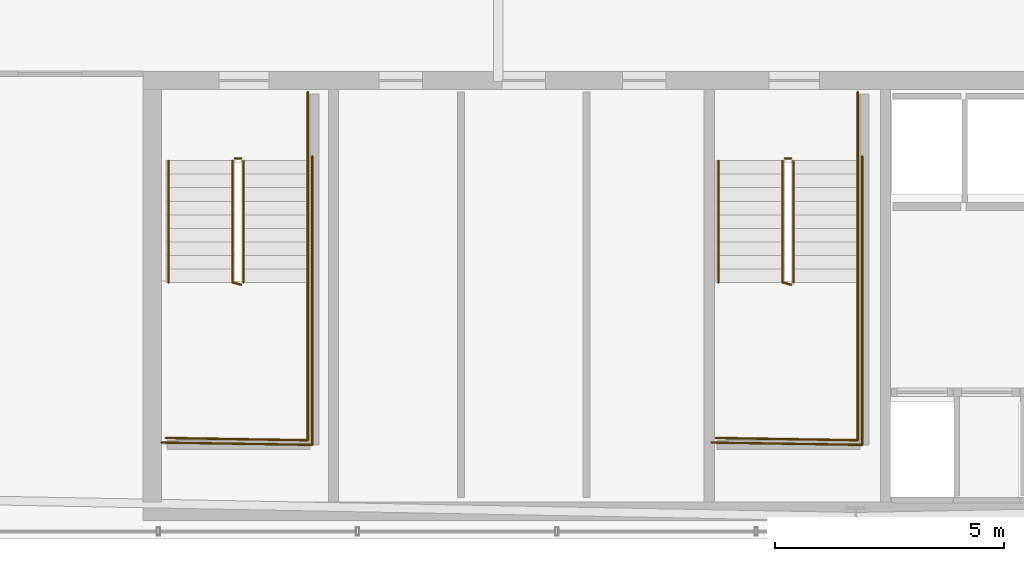
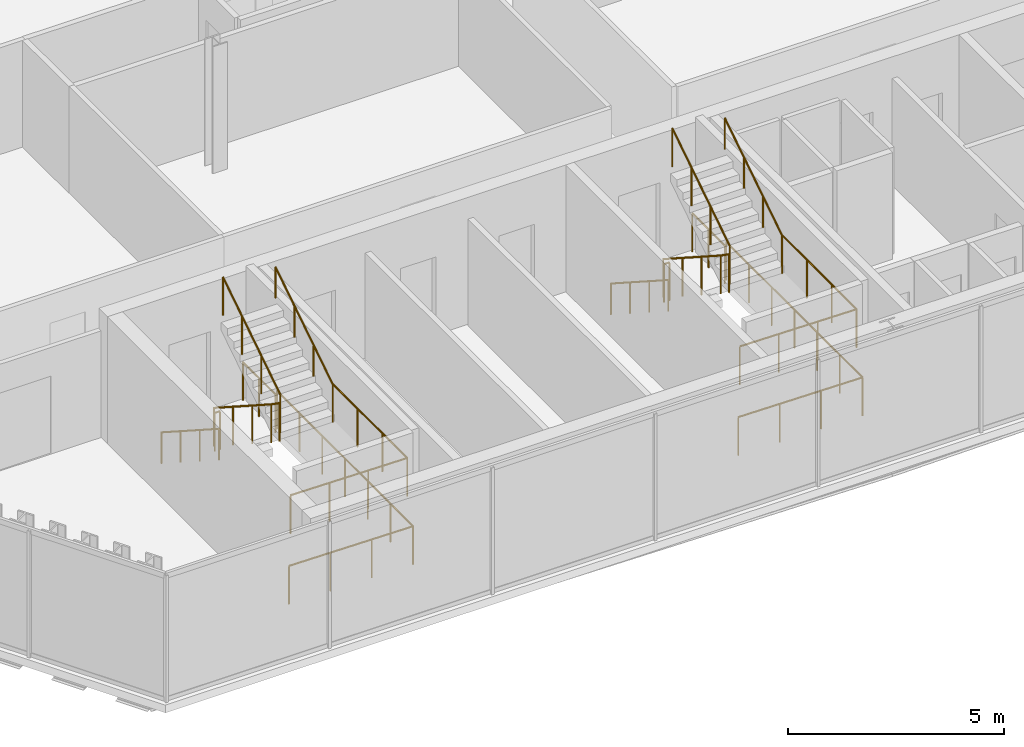
# One storey, part 27 of 29: 16 railings.
"""IFC4 building model written with IfcOpenShell, lengths in metres."""

from ifc_helpers import new_model, si_unit, direction, frame, origin, origin_2d, place, context, subcontext, project, spatial, circle, extrude, material, layer, layer_set, type_object, element, save


model = new_model("IFC4")

# Units and contexts
model_context = context("Model", 3, precision=1e-05, world=origin(), true_north=direction((0.0, 1.0)))
body_context = subcontext(model_context, "Body", "Model", "MODEL_VIEW")
ifc_project = project(units=[si_unit("LENGTHUNIT", "METRE"), si_unit("AREAUNIT", "SQUARE_METRE"), si_unit("VOLUMEUNIT", "CUBIC_METRE"), si_unit("PLANEANGLEUNIT", "RADIAN"), si_unit("MASSUNIT", "GRAM", prefix="KILO")], contexts=[model_context])

# Site, building, storey
site_placement = place(None, origin())
site = spatial("IfcSite", under=ifc_project, at=site_placement, CompositionType="ELEMENT")
building_placement = place(site_placement, origin())
building = spatial("IfcBuilding", under=site, at=building_placement, Name="Ndaravel Arena Tower", CompositionType="ELEMENT")
storey_placement = place(building_placement, frame((0.0, 0.0, 233.199951171875)))
storey = spatial("IfcBuildingStorey", under=building, at=storey_placement, Name="L56", CompositionType="ELEMENT", Elevation=233.199951171875)

# Railings
ifc_material_1 = material(Name="Steel S355", Category="steel")
ifc_layer_1 = layer(ifc_material_1, 0.06005859375)
ifc_layer_set_1 = layer_set([ifc_layer_1], Name="Steel S355")
railing_type_1 = type_object("IfcRailingType", Name="RAIL-STAIR-GD1100", PredefinedType="GUARDRAIL", material=ifc_layer_set_1)
railing_1_placement = place(storey_placement, frame((28.39990234375, 13.25, 0.18994140625)))
element("IfcRailing", 1, at=railing_1_placement, inside=storey, type_object=railing_type_1, Name="L56 ST-1 stair guard 1", PredefinedType="GUARDRAIL", context=body_context, shape_type="SweptSolid", body=[
    extrude(circle(Radius=0.02392578125, at=origin_2d()), frame((0.0, 0.0, 1.076171875), z_axis=(0.0, -0.840688348013, 0.541519253134), x_axis=(1.0, 0.0, 0.0)), (0.0, 0.0, 1.0), 3.158203125),
    extrude(circle(Radius=0.02392578125, at=origin_2d()), frame((0.0, -2.655029296875, 2.7861328125), z_axis=(0.967074537263, -0.25449329928, 0.0), x_axis=(0.25449329928, 0.967074537263, 0.0)), (0.0, 0.0, 1.0), 0.19677734375),
    extrude(circle(Radius=0.02099609375, at=origin_2d()), origin(), (0.0, 0.0, 1.0), 1.052001953125),
    extrude(circle(Radius=0.02099609375, at=origin_2d()), frame((0.0, -0.885009765625, 0.570068359375)), (0.0, 0.0, 1.0), 1.052001953125),
    extrude(circle(Radius=0.02099609375, at=origin_2d()), frame((0.0, -1.77001953125, 1.14013671875)), (0.0, 0.0, 1.0), 1.052001953125),
    extrude(circle(Radius=0.02099609375, at=origin_2d()), frame((0.0, -2.655029296875, 1.710205078125)), (0.0, 0.0, 1.0), 1.052001953125),
    extrude(circle(Radius=0.02099609375, at=origin_2d()), frame((0.190185546875, -2.705078125, 1.710205078125)), (0.0, 0.0, 1.0), 1.052001953125),
])
railing_2_placement = place(storey_placement, frame((30.0400390625, 10.594970703125, 1.900146484375)))
element("IfcRailing", 2, at=railing_2_placement, inside=storey, type_object=railing_type_1, Name="L56 ST-1 stair guard 2", PredefinedType="GUARDRAIL", context=body_context, shape_type="SweptSolid", body=[
    extrude(circle(Radius=0.02392578125, at=origin_2d()), frame((0.0, 0.0, 1.076171875), z_axis=(0.0, -1.0, 0.0), x_axis=(1.0, 0.0, 0.0)), (0.0, 0.0, 1.0), 3.445068359375),
    extrude(circle(Radius=0.02392578125, at=origin_2d()), frame((0.0, -3.445068359375, 1.076171875), z_axis=(-0.999868861343, 0.016194447071, 0.0), x_axis=(-0.016194447071, -0.999868861343, 0.0)), (0.0, 0.0, 1.0), 3.090576171875),
    extrude(circle(Radius=0.02099609375, at=origin_2d()), origin(), (0.0, 0.0, 1.0), 1.052001953125),
    extrude(circle(Radius=0.02099609375, at=origin_2d()), frame((0.0, -1.1484375, 0.0)), (0.0, 0.0, 1.0), 1.052001953125),
    extrude(circle(Radius=0.02099609375, at=origin_2d()), frame((0.0, -2.296630859375, 0.0)), (0.0, 0.0, 1.0), 1.052001953125),
    extrude(circle(Radius=0.02099609375, at=origin_2d()), frame((0.0, -3.445068359375, 0.0)), (0.0, 0.0, 1.0), 1.052001953125),
    extrude(circle(Radius=0.02099609375, at=origin_2d()), frame((-1.030029296875, -3.428466796875, 0.0)), (0.0, 0.0, 1.0), 1.052001953125),
    extrude(circle(Radius=0.02099609375, at=origin_2d()), frame((-2.06005859375, -3.41162109375, 0.0)), (0.0, 0.0, 1.0), 1.052001953125),
    extrude(circle(Radius=0.02099609375, at=origin_2d()), frame((-3.090087890625, -3.39501953125, 0.0)), (0.0, 0.0, 1.0), 1.052001953125),
])
railing_3_placement = place(storey_placement, frame((28.639892578125, 10.594970703125, 2.090087890625)))
element("IfcRailing", 3, at=railing_3_placement, inside=storey, type_object=railing_type_1, Name="L56 ST-1 stair guard 3", PredefinedType="GUARDRAIL", context=body_context, shape_type="SweptSolid", body=[
    extrude(circle(Radius=0.02392578125, at=origin_2d()), frame((0.0, 0.0, 1.076171875), z_axis=(0.0, 0.840723540582, 0.54146461409), x_axis=(-1.0, 0.0, 0.0)), (0.0, 0.0, 1.0), 3.157958984375),
    extrude(circle(Radius=0.02099609375, at=origin_2d()), origin(), (0.0, 0.0, 1.0), 1.052001953125),
    extrude(circle(Radius=0.02099609375, at=origin_2d()), frame((0.0, 0.885009765625, 0.570068359375)), (0.0, 0.0, 1.0), 1.052001953125),
    extrude(circle(Radius=0.02099609375, at=origin_2d()), frame((0.0, 1.77001953125, 1.139892578125)), (0.0, 0.0, 1.0), 1.052001953125),
    extrude(circle(Radius=0.02099609375, at=origin_2d()), frame((0.0, 2.655029296875, 1.7099609375)), (0.0, 0.0, 1.0), 1.052001953125),
])
railing_4_placement = place(storey_placement, frame((28.449951171875, 13.300048828125, 0.0)))
element("IfcRailing", 4, at=railing_4_placement, inside=storey, type_object=railing_type_1, Name="L56 ST-1 stair guard 4", PredefinedType="GUARDRAIL", context=body_context, shape_type="SweptSolid", body=[
    extrude(circle(Radius=0.02392578125, at=origin_2d()), frame((0.0, 0.0, 1.076171875), z_axis=(1.0, 0.0, 0.0), x_axis=(0.0, 1.0, 0.0)), (0.0, 0.0, 1.0), 0.14013671875),
    extrude(circle(Radius=0.02099609375, at=origin_2d()), origin(), (0.0, 0.0, 1.0), 1.052001953125),
    extrude(circle(Radius=0.02099609375, at=origin_2d()), frame((0.14013671875, 0.0, 0.0)), (0.0, 0.0, 1.0), 1.052001953125),
])
railing_5_placement = place(storey_placement, frame((30.0400390625, 14.75, 0.0)))
element("IfcRailing", 5, at=railing_5_placement, inside=storey, type_object=railing_type_1, Name="L56 ST-1 stair guard 5", PredefinedType="GUARDRAIL", context=body_context, shape_type="SweptSolid", body=[
    extrude(circle(Radius=0.02392578125, at=origin_2d()), frame((0.0, 0.0, 1.076171875), z_axis=(0.0, -1.0, 0.0), x_axis=(1.0, 0.0, 0.0)), (0.0, 0.0, 1.0), 1.5),
    extrude(circle(Radius=0.02099609375, at=origin_2d()), origin(), (0.0, 0.0, 1.0), 1.052001953125),
    extrude(circle(Radius=0.02099609375, at=origin_2d()), frame((0.0, -0.75, 0.0)), (0.0, 0.0, 1.0), 1.052001953125),
    extrude(circle(Radius=0.02099609375, at=origin_2d()), frame((0.0, -1.5, 0.0)), (0.0, 0.0, 1.0), 1.052001953125),
])
railing_6_placement = place(storey_placement, frame((30.139892578125, 13.35009765625, 0.0)))
element("IfcRailing", 6, at=railing_6_placement, inside=storey, type_object=railing_type_1, Name="L56 ST-1 stair guard 6", PredefinedType="GUARDRAIL", context=body_context, shape_type="SweptSolid", body=[
    extrude(circle(Radius=0.02392578125, at=origin_2d()), frame((0.0, 0.0, 1.076171875), z_axis=(0.0, -1.0, 0.0), x_axis=(1.0, 0.0, 0.0)), (0.0, 0.0, 1.0), 6.300048828125),
    extrude(circle(Radius=0.02392578125, at=origin_2d()), frame((0.0, -6.300048828125, 1.076171875), z_axis=(-0.999884296952, 0.015211597839, 0.0), x_axis=(-0.015211597839, -0.999884296952, 0.0)), (0.0, 0.0, 1.0), 3.290283203125),
    extrude(circle(Radius=0.02099609375, at=origin_2d()), origin(), (0.0, 0.0, 1.0), 1.052001953125),
    extrude(circle(Radius=0.02099609375, at=origin_2d()), frame((0.0, -1.050048828125, 0.0)), (0.0, 0.0, 1.0), 1.052001953125),
    extrude(circle(Radius=0.02099609375, at=origin_2d()), frame((0.0, -2.10009765625, 0.0)), (0.0, 0.0, 1.0), 1.052001953125),
    extrude(circle(Radius=0.02099609375, at=origin_2d()), frame((0.0, -3.14990234375, 0.0)), (0.0, 0.0, 1.0), 1.052001953125),
    extrude(circle(Radius=0.02099609375, at=origin_2d()), frame((0.0, -4.199951171875, 0.0)), (0.0, 0.0, 1.0), 1.052001953125),
    extrude(circle(Radius=0.02099609375, at=origin_2d()), frame((0.0, -5.25, 0.0)), (0.0, 0.0, 1.0), 1.052001953125),
    extrude(circle(Radius=0.02099609375, at=origin_2d()), frame((0.0, -6.300048828125, 0.0)), (0.0, 0.0, 1.0), 1.052001953125),
    extrude(circle(Radius=0.02099609375, at=origin_2d()), frame((-1.0966796875, -6.283447265625, 0.0)), (0.0, 0.0, 1.0), 1.052001953125),
    extrude(circle(Radius=0.02099609375, at=origin_2d()), frame((-2.193115234375, -6.2666015625, 0.0)), (0.0, 0.0, 1.0), 1.052001953125),
    extrude(circle(Radius=0.02099609375, at=origin_2d()), frame((-3.289794921875, -6.25, 0.0)), (0.0, 0.0, 1.0), 1.052001953125),
])
railing_7_placement = place(storey_placement, frame((40.39990234375, 13.25, 0.18994140625)))
element("IfcRailing", 7, at=railing_7_placement, inside=storey, type_object=railing_type_1, Name="L56 ST-2 stair guard 1", PredefinedType="GUARDRAIL", context=body_context, shape_type="SweptSolid", body=[
    extrude(circle(Radius=0.02392578125, at=origin_2d()), frame((0.0, 0.0, 1.076171875), z_axis=(0.0, -0.840688348013, 0.541519253134), x_axis=(1.0, 0.0, 0.0)), (0.0, 0.0, 1.0), 3.158203125),
    extrude(circle(Radius=0.02392578125, at=origin_2d()), frame((0.0, -2.655029296875, 2.7861328125), z_axis=(0.967074537263, -0.25449329928, 0.0), x_axis=(0.25449329928, 0.967074537263, 0.0)), (0.0, 0.0, 1.0), 0.19677734375),
    extrude(circle(Radius=0.02099609375, at=origin_2d()), origin(), (0.0, 0.0, 1.0), 1.052001953125),
    extrude(circle(Radius=0.02099609375, at=origin_2d()), frame((0.0, -0.885009765625, 0.570068359375)), (0.0, 0.0, 1.0), 1.052001953125),
    extrude(circle(Radius=0.02099609375, at=origin_2d()), frame((0.0, -1.77001953125, 1.14013671875)), (0.0, 0.0, 1.0), 1.052001953125),
    extrude(circle(Radius=0.02099609375, at=origin_2d()), frame((0.0, -2.655029296875, 1.710205078125)), (0.0, 0.0, 1.0), 1.052001953125),
    extrude(circle(Radius=0.02099609375, at=origin_2d()), frame((0.190185546875, -2.705078125, 1.710205078125)), (0.0, 0.0, 1.0), 1.052001953125),
])
railing_8_placement = place(storey_placement, frame((42.0400390625, 10.594970703125, 1.900146484375)))
element("IfcRailing", 8, at=railing_8_placement, inside=storey, type_object=railing_type_1, Name="L56 ST-2 stair guard 2", PredefinedType="GUARDRAIL", context=body_context, shape_type="SweptSolid", body=[
    extrude(circle(Radius=0.02392578125, at=origin_2d()), frame((0.0, 0.0, 1.076171875), z_axis=(0.0, -1.0, 0.0), x_axis=(1.0, 0.0, 0.0)), (0.0, 0.0, 1.0), 3.445068359375),
    extrude(circle(Radius=0.02392578125, at=origin_2d()), frame((0.0, -3.445068359375, 1.076171875), z_axis=(-0.999868861343, 0.016194447071, 0.0), x_axis=(-0.016194447071, -0.999868861343, 0.0)), (0.0, 0.0, 1.0), 3.090576171875),
    extrude(circle(Radius=0.02099609375, at=origin_2d()), origin(), (0.0, 0.0, 1.0), 1.052001953125),
    extrude(circle(Radius=0.02099609375, at=origin_2d()), frame((0.0, -1.1484375, 0.0)), (0.0, 0.0, 1.0), 1.052001953125),
    extrude(circle(Radius=0.02099609375, at=origin_2d()), frame((0.0, -2.296630859375, 0.0)), (0.0, 0.0, 1.0), 1.052001953125),
    extrude(circle(Radius=0.02099609375, at=origin_2d()), frame((0.0, -3.445068359375, 0.0)), (0.0, 0.0, 1.0), 1.052001953125),
    extrude(circle(Radius=0.02099609375, at=origin_2d()), frame((-1.030029296875, -3.428466796875, 0.0)), (0.0, 0.0, 1.0), 1.052001953125),
    extrude(circle(Radius=0.02099609375, at=origin_2d()), frame((-2.06005859375, -3.41162109375, 0.0)), (0.0, 0.0, 1.0), 1.052001953125),
    extrude(circle(Radius=0.02099609375, at=origin_2d()), frame((-3.090087890625, -3.39501953125, 0.0)), (0.0, 0.0, 1.0), 1.052001953125),
])
railing_9_placement = place(storey_placement, frame((40.639892578125, 10.594970703125, 2.090087890625)))
element("IfcRailing", 9, at=railing_9_placement, inside=storey, type_object=railing_type_1, Name="L56 ST-2 stair guard 3", PredefinedType="GUARDRAIL", context=body_context, shape_type="SweptSolid", body=[
    extrude(circle(Radius=0.02392578125, at=origin_2d()), frame((0.0, 0.0, 1.076171875), z_axis=(0.0, 0.840723540582, 0.54146461409), x_axis=(-1.0, 0.0, 0.0)), (0.0, 0.0, 1.0), 3.157958984375),
    extrude(circle(Radius=0.02099609375, at=origin_2d()), origin(), (0.0, 0.0, 1.0), 1.052001953125),
    extrude(circle(Radius=0.02099609375, at=origin_2d()), frame((0.0, 0.885009765625, 0.570068359375)), (0.0, 0.0, 1.0), 1.052001953125),
    extrude(circle(Radius=0.02099609375, at=origin_2d()), frame((0.0, 1.77001953125, 1.139892578125)), (0.0, 0.0, 1.0), 1.052001953125),
    extrude(circle(Radius=0.02099609375, at=origin_2d()), frame((0.0, 2.655029296875, 1.7099609375)), (0.0, 0.0, 1.0), 1.052001953125),
])
railing_10_placement = place(storey_placement, frame((40.449951171875, 13.300048828125, 0.0)))
element("IfcRailing", 10, at=railing_10_placement, inside=storey, type_object=railing_type_1, Name="L56 ST-2 stair guard 4", PredefinedType="GUARDRAIL", context=body_context, shape_type="SweptSolid", body=[
    extrude(circle(Radius=0.02392578125, at=origin_2d()), frame((0.0, 0.0, 1.076171875), z_axis=(1.0, 0.0, 0.0), x_axis=(0.0, 1.0, 0.0)), (0.0, 0.0, 1.0), 0.14013671875),
    extrude(circle(Radius=0.02099609375, at=origin_2d()), origin(), (0.0, 0.0, 1.0), 1.052001953125),
    extrude(circle(Radius=0.02099609375, at=origin_2d()), frame((0.14013671875, 0.0, 0.0)), (0.0, 0.0, 1.0), 1.052001953125),
])
railing_11_placement = place(storey_placement, frame((42.0400390625, 14.75, 0.0)))
element("IfcRailing", 11, at=railing_11_placement, inside=storey, type_object=railing_type_1, Name="L56 ST-2 stair guard 5", PredefinedType="GUARDRAIL", context=body_context, shape_type="SweptSolid", body=[
    extrude(circle(Radius=0.02392578125, at=origin_2d()), frame((0.0, 0.0, 1.076171875), z_axis=(0.0, -1.0, 0.0), x_axis=(1.0, 0.0, 0.0)), (0.0, 0.0, 1.0), 1.5),
    extrude(circle(Radius=0.02099609375, at=origin_2d()), origin(), (0.0, 0.0, 1.0), 1.052001953125),
    extrude(circle(Radius=0.02099609375, at=origin_2d()), frame((0.0, -0.75, 0.0)), (0.0, 0.0, 1.0), 1.052001953125),
    extrude(circle(Radius=0.02099609375, at=origin_2d()), frame((0.0, -1.5, 0.0)), (0.0, 0.0, 1.0), 1.052001953125),
])
railing_12_placement = place(storey_placement, frame((42.139892578125, 13.35009765625, 0.0)))
element("IfcRailing", 12, at=railing_12_placement, inside=storey, type_object=railing_type_1, Name="L56 ST-2 stair guard 6", PredefinedType="GUARDRAIL", context=body_context, shape_type="SweptSolid", body=[
    extrude(circle(Radius=0.02392578125, at=origin_2d()), frame((0.0, 0.0, 1.076171875), z_axis=(0.0, -1.0, 0.0), x_axis=(1.0, 0.0, 0.0)), (0.0, 0.0, 1.0), 6.300048828125),
    extrude(circle(Radius=0.02392578125, at=origin_2d()), frame((0.0, -6.300048828125, 1.076171875), z_axis=(-0.999884296952, 0.015211597839, 0.0), x_axis=(-0.015211597839, -0.999884296952, 0.0)), (0.0, 0.0, 1.0), 3.290283203125),
    extrude(circle(Radius=0.02099609375, at=origin_2d()), origin(), (0.0, 0.0, 1.0), 1.052001953125),
    extrude(circle(Radius=0.02099609375, at=origin_2d()), frame((0.0, -1.050048828125, 0.0)), (0.0, 0.0, 1.0), 1.052001953125),
    extrude(circle(Radius=0.02099609375, at=origin_2d()), frame((0.0, -2.10009765625, 0.0)), (0.0, 0.0, 1.0), 1.052001953125),
    extrude(circle(Radius=0.02099609375, at=origin_2d()), frame((0.0, -3.14990234375, 0.0)), (0.0, 0.0, 1.0), 1.052001953125),
    extrude(circle(Radius=0.02099609375, at=origin_2d()), frame((0.0, -4.199951171875, 0.0)), (0.0, 0.0, 1.0), 1.052001953125),
    extrude(circle(Radius=0.02099609375, at=origin_2d()), frame((0.0, -5.25, 0.0)), (0.0, 0.0, 1.0), 1.052001953125),
    extrude(circle(Radius=0.02099609375, at=origin_2d()), frame((0.0, -6.300048828125, 0.0)), (0.0, 0.0, 1.0), 1.052001953125),
    extrude(circle(Radius=0.02099609375, at=origin_2d()), frame((-1.0966796875, -6.283447265625, 0.0)), (0.0, 0.0, 1.0), 1.052001953125),
    extrude(circle(Radius=0.02099609375, at=origin_2d()), frame((-2.193115234375, -6.2666015625, 0.0)), (0.0, 0.0, 1.0), 1.052001953125),
    extrude(circle(Radius=0.02099609375, at=origin_2d()), frame((-3.289794921875, -6.25, 0.0)), (0.0, 0.0, 1.0), 1.052001953125),
])
ifc_material_2 = material(Name="Steel S355", Category="steel")
ifc_layer_2 = layer(ifc_material_2, 0.050048828125)
ifc_layer_set_2 = layer_set([ifc_layer_2], Name="Steel S355")
railing_type_2 = type_object("IfcRailingType", Name="RAIL-STAIR-HR920", PredefinedType="HANDRAIL", material=ifc_layer_set_2)
railing_13_placement = place(storey_placement, frame((27.0, 13.25, 0.18994140625)))
element("IfcRailing", 13, at=railing_13_placement, inside=storey, type_object=railing_type_2, Name="L56 ST-1 stair handrail 1", PredefinedType="HANDRAIL", context=body_context, shape_type="SweptSolid", body=[
    extrude(circle(Radius=0.02392578125, at=origin_2d()), frame((0.0, 0.0, 0.8759765625), z_axis=(0.0, -0.840688348013, 0.541519253134), x_axis=(1.0, 0.0, 0.0)), (0.0, 0.0, 1.0), 3.158203125),
    extrude(circle(Radius=0.02099609375, at=origin_2d()), origin(), (0.0, 0.0, 1.0), 0.851806640625),
    extrude(circle(Radius=0.02099609375, at=origin_2d()), frame((0.0, -0.885009765625, 0.570068359375)), (0.0, 0.0, 1.0), 0.851806640625),
    extrude(circle(Radius=0.02099609375, at=origin_2d()), frame((0.0, -1.77001953125, 1.14013671875)), (0.0, 0.0, 1.0), 0.851806640625),
    extrude(circle(Radius=0.02099609375, at=origin_2d()), frame((0.0, -2.655029296875, 1.710205078125)), (0.0, 0.0, 1.0), 0.851806640625),
])
railing_14_placement = place(storey_placement, frame((30.0400390625, 10.594970703125, 2.090087890625)))
element("IfcRailing", 14, at=railing_14_placement, inside=storey, type_object=railing_type_2, Name="L56 ST-1 stair handrail 2", PredefinedType="HANDRAIL", context=body_context, shape_type="SweptSolid", body=[
    extrude(circle(Radius=0.02392578125, at=origin_2d()), frame((0.0, 0.0, 0.8759765625), z_axis=(0.0, 0.840723540582, 0.54146461409), x_axis=(-1.0, 0.0, 0.0)), (0.0, 0.0, 1.0), 3.157958984375),
    extrude(circle(Radius=0.02099609375, at=origin_2d()), origin(), (0.0, 0.0, 1.0), 0.851806640625),
    extrude(circle(Radius=0.02099609375, at=origin_2d()), frame((0.0, 0.885009765625, 0.570068359375)), (0.0, 0.0, 1.0), 0.851806640625),
    extrude(circle(Radius=0.02099609375, at=origin_2d()), frame((0.0, 1.77001953125, 1.139892578125)), (0.0, 0.0, 1.0), 0.851806640625),
    extrude(circle(Radius=0.02099609375, at=origin_2d()), frame((0.0, 2.655029296875, 1.7099609375)), (0.0, 0.0, 1.0), 0.851806640625),
])
railing_15_placement = place(storey_placement, frame((39.0, 13.25, 0.18994140625)))
element("IfcRailing", 15, at=railing_15_placement, inside=storey, type_object=railing_type_2, Name="L56 ST-2 stair handrail 1", PredefinedType="HANDRAIL", context=body_context, shape_type="SweptSolid", body=[
    extrude(circle(Radius=0.02392578125, at=origin_2d()), frame((0.0, 0.0, 0.8759765625), z_axis=(0.0, -0.840688348013, 0.541519253134), x_axis=(1.0, 0.0, 0.0)), (0.0, 0.0, 1.0), 3.158203125),
    extrude(circle(Radius=0.02099609375, at=origin_2d()), origin(), (0.0, 0.0, 1.0), 0.851806640625),
    extrude(circle(Radius=0.02099609375, at=origin_2d()), frame((0.0, -0.885009765625, 0.570068359375)), (0.0, 0.0, 1.0), 0.851806640625),
    extrude(circle(Radius=0.02099609375, at=origin_2d()), frame((0.0, -1.77001953125, 1.14013671875)), (0.0, 0.0, 1.0), 0.851806640625),
    extrude(circle(Radius=0.02099609375, at=origin_2d()), frame((0.0, -2.655029296875, 1.710205078125)), (0.0, 0.0, 1.0), 0.851806640625),
])
railing_16_placement = place(storey_placement, frame((42.0400390625, 10.594970703125, 2.090087890625)))
element("IfcRailing", 16, at=railing_16_placement, inside=storey, type_object=railing_type_2, Name="L56 ST-2 stair handrail 2", PredefinedType="HANDRAIL", context=body_context, shape_type="SweptSolid", body=[
    extrude(circle(Radius=0.02392578125, at=origin_2d()), frame((0.0, 0.0, 0.8759765625), z_axis=(0.0, 0.840723540582, 0.54146461409), x_axis=(-1.0, 0.0, 0.0)), (0.0, 0.0, 1.0), 3.157958984375),
    extrude(circle(Radius=0.02099609375, at=origin_2d()), origin(), (0.0, 0.0, 1.0), 0.851806640625),
    extrude(circle(Radius=0.02099609375, at=origin_2d()), frame((0.0, 0.885009765625, 0.570068359375)), (0.0, 0.0, 1.0), 0.851806640625),
    extrude(circle(Radius=0.02099609375, at=origin_2d()), frame((0.0, 1.77001953125, 1.139892578125)), (0.0, 0.0, 1.0), 0.851806640625),
    extrude(circle(Radius=0.02099609375, at=origin_2d()), frame((0.0, 2.655029296875, 1.7099609375)), (0.0, 0.0, 1.0), 0.851806640625),
])

save(model, "model.ifc")
